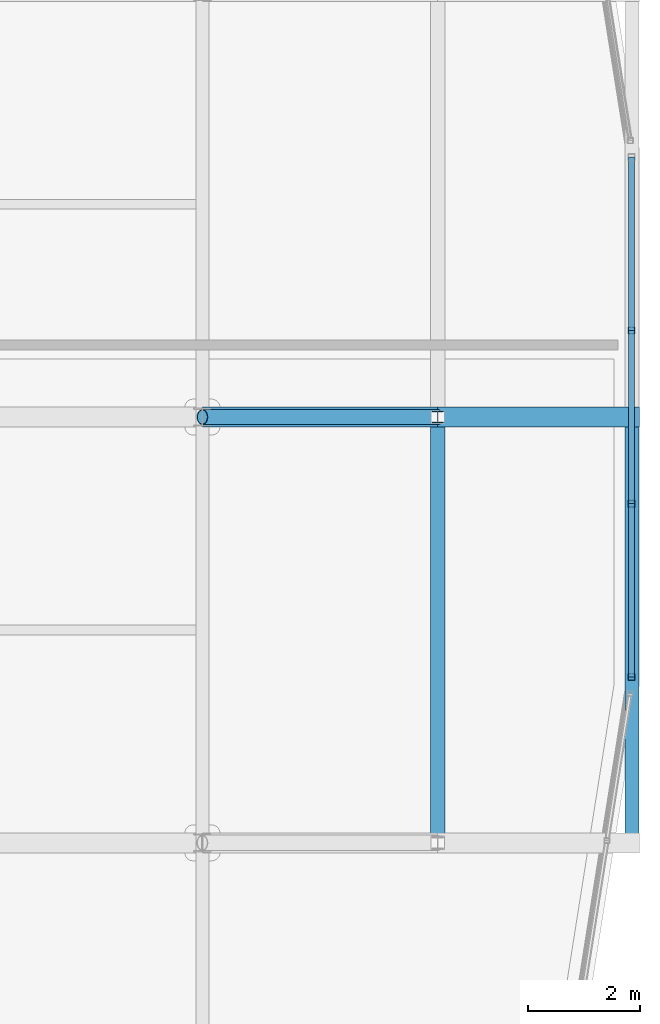
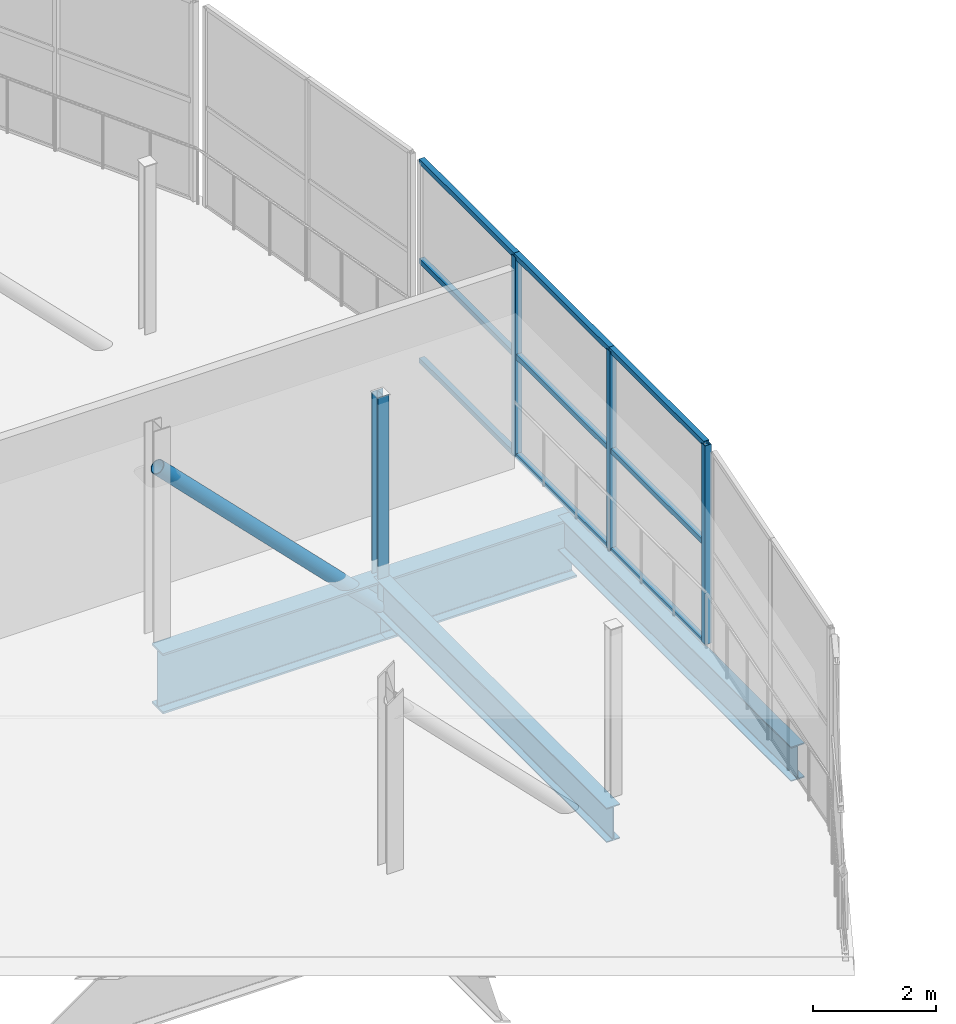
# One storey, part 98 of 151: 14 members, 4 beams, 1 element without a shape of its own.
"""IFC4 building model written with IfcOpenShell, lengths in metres."""

import ifcopenshell
import ifcopenshell.guid

model = None  # the IFC model being written
_history = None  # IfcOwnerHistory: only IFC2X3 demands one
_inside = {}  # id of a spatial element -> (the spatial element, [elements in it])
_under = {}  # id of a project, library or spatial element -> (it, [spatial elements below it])
_declared = {}  # id of a project -> (the project, [libraries it declares])
_typed = {}  # id of a type object -> (the type object, [elements of that type])
_made_of = {}  # id of a material, layer set ... -> (it, [elements and type objects made of it])


def new_model(schema):
    """Start an empty IFC model of exactly this schema.

    Asked for "IFC4X3", IfcOpenShell would pick the latest addendum, in which some entities
    have other attributes; the version numbers below select the first issue.
    IFC2X3 requires an IfcOwnerHistory on every rooted entity: one is made here for all.
    """
    global model, _history
    if schema == "IFC4X3":
        model = ifcopenshell.file(schema_version=(4, 3, 0, 0))
    else:
        model = ifcopenshell.file(schema=schema)
    _inside.clear()
    _under.clear()
    _declared.clear()
    _typed.clear()
    _made_of.clear()
    _history = None
    if model.schema == "IFC2X3":
        org = make("IfcOrganization", Name="unknown")
        user = make(
            "IfcPersonAndOrganization",
            ThePerson=make("IfcPerson", FamilyName="unknown"),
            TheOrganization=org,
        )
        app = make(
            "IfcApplication",
            ApplicationDeveloper=org,
            Version="unknown",
            ApplicationFullName="unknown",
            ApplicationIdentifier="unknown",
        )
        _history = make(
            "IfcOwnerHistory",
            OwningUser=user,
            OwningApplication=app,
            ChangeAction="ADDED",
            CreationDate=0,
        )
    return model


def make(cls, **values):
    """One entity of the class cls with the attributes given. An attribute that is None is left unset."""
    return model.create_entity(
        cls, **{name: value for name, value in values.items() if value is not None}
    )


def rooted(cls, **values):
    """An entity with a GlobalId (a new one), such as an element, a storey or a relation."""
    return make(cls, GlobalId=ifcopenshell.guid.new(), OwnerHistory=_history, **values)


def si_unit(unit_type, name, prefix=None):
    """IfcSIUnit, for example si_unit("LENGTHUNIT", "METRE", prefix="MILLI")."""
    return make("IfcSIUnit", UnitType=unit_type, Prefix=prefix, Name=name)


def assignment(units):
    """IfcUnitAssignment: the units of a project."""
    return None if units is None else make("IfcUnitAssignment", Units=units)


def point(xyz):
    """IfcCartesianPoint."""
    return None if xyz is None else make("IfcCartesianPoint", Coordinates=xyz)


def direction(xyz):
    """IfcDirection."""
    return None if xyz is None else make("IfcDirection", DirectionRatios=xyz)


def frame(location, z_axis=None, x_axis=None):
    """IfcAxis2Placement3D, a coordinate frame: its origin and axes. An axis left out is left unset."""
    return make(
        "IfcAxis2Placement3D",
        Location=point(location),
        Axis=direction(z_axis),
        RefDirection=direction(x_axis),
    )


def frame_2d(location, x_axis=None):
    """IfcAxis2Placement2D, a coordinate frame in the plane: its origin and x axis."""
    return make(
        "IfcAxis2Placement2D", Location=point(location), RefDirection=direction(x_axis)
    )


def origin():
    """The frame at (0, 0, 0) with its axes left unset."""
    return frame((0.0, 0.0, 0.0))


def origin_2d():
    """The frame at (0, 0) in the plane with its x axis left unset."""
    return frame_2d((0.0, 0.0))


def place(relative_to, where):
    """IfcLocalPlacement: puts the frame where relative to a parent placement (None: the world)."""
    return make(
        "IfcLocalPlacement", PlacementRelTo=relative_to, RelativePlacement=where
    )


def context(
    kind, dimensions, precision=None, world=None, true_north=None, identifier=None
):
    """IfcGeometricRepresentationContext, for example the 3D "Model" context."""
    return make(
        "IfcGeometricRepresentationContext",
        ContextIdentifier=identifier,
        ContextType=kind,
        CoordinateSpaceDimension=dimensions,
        Precision=precision,
        WorldCoordinateSystem=world,
        TrueNorth=true_north,
    )


def subcontext(parent, identifier, kind, view, scale=None):
    """IfcGeometricRepresentationSubContext, for example "Body" below "Model"."""
    return make(
        "IfcGeometricRepresentationSubContext",
        ContextIdentifier=identifier,
        ContextType=kind,
        ParentContext=parent,
        TargetScale=scale,
        TargetView=view,
    )


def project(units=None, contexts=None):
    """IfcProject with its units and contexts."""
    return rooted(
        "IfcProject",
        Name="project",
        RepresentationContexts=contexts,
        UnitsInContext=assignment(units),
    )


def spatial(cls, under=None, at=None, **own):
    """A site, building, storey or space (cls), placed at a placement, below another one or the project."""
    s = rooted(cls, ObjectPlacement=at, **own)
    if under is not None:
        _under.setdefault(under.id(), (under, []))[1].append(s)
    return s


def profile(cls, at=None, kind="AREA", **sizes):
    """A parametric profile (cls). Its sizes go by their IFC names, for example OverallWidth=200.0."""
    return make(cls, ProfileType=kind, Position=at, **sizes)


def hollow_rectangle(**sizes):
    """IfcRectangleHollowProfileDef."""
    return profile("IfcRectangleHollowProfileDef", **sizes)


def hollow_circle(**sizes):
    """IfcCircleHollowProfileDef."""
    return profile("IfcCircleHollowProfileDef", **sizes)


def i_section(**sizes):
    """IfcIShapeProfileDef."""
    return profile("IfcIShapeProfileDef", **sizes)


def extrude(swept, where, along, depth):
    """IfcExtrudedAreaSolid: the profile swept, set in the frame where, extruded along a direction by depth."""
    return make(
        "IfcExtrudedAreaSolid",
        SweptArea=swept,
        Position=where,
        ExtrudedDirection=direction(along),
        Depth=depth,
    )


def shape(context_of_items, identifier, shape_type, items):
    """IfcShapeRepresentation: the items that make up one representation, for example the "Body"."""
    return make(
        "IfcShapeRepresentation",
        ContextOfItems=context_of_items,
        RepresentationIdentifier=identifier,
        RepresentationType=shape_type,
        Items=items,
    )


def material(Name=None, Category=None):
    """IfcMaterial."""
    return make("IfcMaterial", Name=Name, Category=Category)


def material_profile(
    of_material, cross_section, Name=None, Category=None, Priority=None
):
    """IfcMaterialProfile: a cross section and its material."""
    return make(
        "IfcMaterialProfile",
        Name=Name,
        Material=of_material,
        Profile=cross_section,
        Priority=Priority,
        Category=Category,
    )


def profile_set(profiles, Name=None, composite=None):
    """IfcMaterialProfileSet."""
    return make(
        "IfcMaterialProfileSet",
        Name=Name,
        MaterialProfiles=profiles,
        CompositeProfile=composite,
    )


def made_of(thing, what):
    """Note that an element or type object is made of a material, layer set ...; save() writes the relation."""
    if what is not None:
        _made_of.setdefault(what.id(), (what, []))[1].append(thing)
    return thing


def type_object(cls, material=None, **own):
    """A type object (cls), such as IfcWallType, which elements share."""
    return made_of(rooted(cls, **own), material)


def element(
    cls,
    number,
    at=None,
    inside=None,
    cuts=None,
    type_object=None,
    material=None,
    context=None,
    identifier="Body",
    shape_type=None,
    held_by="IfcProductDefinitionShape",
    body=None,
    shapes=None,
    **own,
):
    """One element of the class cls, such as IfcWall. Its Tag is "e" and its number.

    at: its placement. inside: the storey or other place that contains it. cuts: it is an
    opening in that element (IfcRelVoidsElement). A single representation is given by context,
    identifier, shape_type and body (its items); several are given by shapes. held_by: the class
    of the entity that holds the representations. save() writes the other relations.
    """
    e = rooted(cls, Tag="e%d" % number, ObjectPlacement=at, **own)
    if body is not None:
        shapes = [shape(context, identifier, shape_type, body)]
    if shapes is not None:
        e.Representation = make(held_by, Representations=shapes)
    if inside is not None:
        _inside.setdefault(inside.id(), (inside, []))[1].append(e)
    if cuts is not None:
        rooted(
            "IfcRelVoidsElement", RelatingBuildingElement=cuts, RelatedOpeningElement=e
        )
    if type_object is not None:
        _typed.setdefault(type_object.id(), (type_object, []))[1].append(e)
    return made_of(e, material)


def aggregate(whole, parts):
    """IfcRelAggregates: a whole, such as a stair, and the parts it consists of."""
    return rooted("IfcRelAggregates", RelatingObject=whole, RelatedObjects=parts)


def save(model, path):
    """Write the relations noted so far, then the file.

    IfcRelAggregates (storeys below a building ...), IfcRelContainedInSpatialStructure (elements
    in a storey), IfcRelDefinesByType, IfcRelAssociatesMaterial and IfcRelDeclares: one each for
    every whole, place, type object, material and project.
    """
    for whole, parts in _under.values():
        aggregate(whole, parts)
    for where, things in _inside.values():
        rooted(
            "IfcRelContainedInSpatialStructure",
            RelatedElements=things,
            RelatingStructure=where,
        )
    for kind, things in _typed.values():
        rooted("IfcRelDefinesByType", RelatedObjects=things, RelatingType=kind)
    for what, things in _made_of.values():
        rooted("IfcRelAssociatesMaterial", RelatedObjects=things, RelatingMaterial=what)
    for by, libraries in _declared.values():
        rooted("IfcRelDeclares", RelatingContext=by, RelatedDefinitions=libraries)
    model.write(path)


model = new_model("IFC4")

# Units and contexts
model_context = context("Model", 3, precision=1e-05, world=origin(), true_north=direction((0.0, 1.0)))
body_context = subcontext(model_context, "Body", "Model", "MODEL_VIEW")
ifc_project = project(units=[si_unit("LENGTHUNIT", "METRE"), si_unit("AREAUNIT", "SQUARE_METRE"), si_unit("VOLUMEUNIT", "CUBIC_METRE"), si_unit("PLANEANGLEUNIT", "RADIAN"), si_unit("MASSUNIT", "GRAM", prefix="KILO")], contexts=[model_context])

# Site, building, storey
site_placement = place(None, origin())
site = spatial("IfcSite", under=ifc_project, at=site_placement, CompositionType="ELEMENT")
building_placement = place(site_placement, origin())
building = spatial("IfcBuilding", under=site, at=building_placement, Name="Zuvorla Pavilion Media Centre", CompositionType="ELEMENT")
storey_placement = place(building_placement, frame((0.0, 0.0, 13.800048828125)))
storey = spatial("IfcBuildingStorey", under=building, at=storey_placement, Name="L03", CompositionType="ELEMENT", Elevation=13.800048828125)

# Beams
ifc_material_1 = material(Name="Steel S355", Category="steel")
ifc_material_profile_1 = material_profile(ifc_material_1, i_section(OverallWidth=0.360107421875, OverallDepth=1.199951171875, WebThickness=0.02001953125, FlangeThickness=0.0380859375, FilletRadius=0.02392578125, at=origin_2d()), Name="PG 1200x360x38")
ifc_profile_set_1 = profile_set([ifc_material_profile_1], Name="Steel S355")
beam_type_1 = type_object("IfcBeamType", Name="BM-PG1200", PredefinedType="BEAM", material=ifc_profile_set_1)
beam_1_placement = place(storey_placement, frame((167.60009765625, 66.800048828125, -0.858154296875), z_axis=(1.0, 0.0, 0.0), x_axis=(0.0, 1.0, 0.0)))
element("IfcBeam", 1, at=beam_1_placement, inside=storey, type_object=beam_type_1, Name="L03 beam B01 1705", PredefinedType="BEAM", context=body_context, shape_type="SweptSolid", body=[
    extrude(i_section(OverallWidth=0.360107421875, OverallDepth=1.199951171875, WebThickness=0.02001953125, FlangeThickness=0.0380859375, FilletRadius=0.02392578125, at=origin_2d()), origin(), (0.0, 0.0, 1.0), 4.199951171875),
])
beam_2_placement = place(storey_placement, frame((171.800048828125, 66.800048828125, -0.858154296875), z_axis=(1.0, 0.0, 0.0), x_axis=(0.0, 1.0, 0.0)))
element("IfcBeam", 2, at=beam_2_placement, inside=storey, type_object=beam_type_1, Name="L03 beam B01 1706", PredefinedType="BEAM", context=body_context, shape_type="SweptSolid", body=[
    extrude(i_section(OverallWidth=0.360107421875, OverallDepth=1.199951171875, WebThickness=0.02001953125, FlangeThickness=0.0380859375, FilletRadius=0.02392578125, at=origin_2d()), origin(), (0.0, 0.0, 1.0), 3.599853515625),
])
ifc_material_profile_2 = material_profile(ifc_material_1, i_section(OverallWidth=0.25439453125, OverallDepth=0.6875, WebThickness=0.01318359375, FlangeThickness=0.02099609375, FilletRadius=0.01513671875, at=origin_2d()), Name="UB 686x254x152")
ifc_profile_set_2 = profile_set([ifc_material_profile_2], Name="Steel S355")
beam_type_2 = type_object("IfcBeamType", Name="BM-UB686", PredefinedType="BEAM", material=ifc_profile_set_2)
for number, where, z_axis, x_axis, name in (
    (3, (171.800048828125, 59.199951171875, -0.601806640625), (0.0, 1.0, 0.0), (-1.0, 0.0, 0.0), "L03 beam B06 1717"),
    (4, (175.27001953125, 59.199951171875, -0.601806640625), (0.0, 1.0, 0.0), (-1.0, 0.0, 0.0), "L03 beam B06 1719"),
):
    element("IfcBeam", number, at=place(storey_placement, frame(where, z_axis=z_axis, x_axis=x_axis)), inside=storey, type_object=beam_type_2, Name=name, PredefinedType="BEAM", context=body_context, shape_type="SweptSolid", body=[
        extrude(i_section(OverallWidth=0.25439453125, OverallDepth=0.6875, WebThickness=0.01318359375, FlangeThickness=0.02099609375, FilletRadius=0.01513671875, at=origin_2d()), origin(), (0.0, 0.0, 1.0), 7.60009765625),
    ])

# Curtain wall, members
ifc_material_2 = material(Name="Unitised anodised aluminium and solar glass curtain wall", Category="aluminium")
curtain_wall_type = type_object("IfcCurtainWallType", Name="CW-SYS-59", PredefinedType="USERDEFINED", material=ifc_material_2)
curtain_wall_placement = place(storey_placement, origin())
curtain_wall = element("IfcCurtainWall", 5, at=curtain_wall_placement, inside=storey, type_object=curtain_wall_type, Name="L03 curtain wall CW59 100", ObjectType="CURTAIN WALL", PredefinedType="USERDEFINED")
ifc_material_3 = material(Name="Anodised aluminium 6063-T6", Category="aluminium")
ifc_material_profile_3 = material_profile(ifc_material_3, hollow_rectangle(XDim=0.1201171875, YDim=0.1201171875, WallThickness=0.0048828125, at=origin_2d()), Name="ALU MULL 120x120")
ifc_profile_set_3 = profile_set([ifc_material_profile_3], Name="Anodised aluminium 6063-T6")
member_type_1 = type_object("IfcMemberType", Name="CW-MULL-120", PredefinedType="MULLION", material=ifc_profile_set_3)
member_1_placement = place(storey_placement, frame((175.260009765625, 62.159912109375, 0.0), z_axis=(0.0, 0.0, 1.0), x_axis=(1.0, 0.0, 0.0)))
member_1 = element("IfcMember", 6, at=member_1_placement, type_object=member_type_1, Name="CW59 mullion 1", PredefinedType="MULLION", context=body_context, shape_type="SweptSolid", body=[
    extrude(hollow_rectangle(XDim=0.1201171875, YDim=0.1201171875, WallThickness=0.0048828125, at=origin_2d()), origin(), (0.0, 0.0, 1.0), 3.9599609375),
])
member_2_placement = place(storey_placement, frame((175.260009765625, 65.25341796875, 0.0), z_axis=(0.0, 0.0, 1.0), x_axis=(1.0, 0.0, 0.0)))
member_2 = element("IfcMember", 7, at=member_2_placement, type_object=member_type_1, Name="CW59 mullion 2", PredefinedType="MULLION", context=body_context, shape_type="SweptSolid", body=[
    extrude(hollow_rectangle(XDim=0.1201171875, YDim=0.1201171875, WallThickness=0.0048828125, at=origin_2d()), origin(), (0.0, 0.0, 1.0), 3.9599609375),
])
member_3_placement = place(storey_placement, frame((175.260009765625, 68.3466796875, 0.0), z_axis=(0.0, 0.0, 1.0), x_axis=(1.0, 0.0, 0.0)))
member_3 = element("IfcMember", 8, at=member_3_placement, type_object=member_type_1, Name="CW59 mullion 3", PredefinedType="MULLION", context=body_context, shape_type="SweptSolid", body=[
    extrude(hollow_rectangle(XDim=0.1201171875, YDim=0.1201171875, WallThickness=0.0048828125, at=origin_2d()), origin(), (0.0, 0.0, 1.0), 3.9599609375),
])
ifc_material_profile_4 = material_profile(ifc_material_3, hollow_rectangle(XDim=0.10009765625, YDim=0.10009765625, WallThickness=0.00439453125, at=origin_2d()), Name="ALU TRAN 100x100")
ifc_profile_set_4 = profile_set([ifc_material_profile_4], Name="Anodised aluminium 6063-T6")
member_type_2 = type_object("IfcMemberType", Name="CW-TRAN-100", PredefinedType="USERDEFINED", material=ifc_profile_set_4)
member_4_placement = place(storey_placement, frame((175.260009765625, 62.159912109375, 0.0), z_axis=(0.0, 1.0, 0.0), x_axis=(-1.0, 0.0, 0.0)))
member_4 = element("IfcMember", 9, at=member_4_placement, type_object=member_type_2, Name="CW59 transom 1.1", ObjectType="TRANSOM", PredefinedType="USERDEFINED", context=body_context, shape_type="SweptSolid", body=[
    extrude(hollow_rectangle(XDim=0.10009765625, YDim=0.10009765625, WallThickness=0.00439453125, at=origin_2d()), origin(), (0.0, 0.0, 1.0), 3.093505859375),
])
member_5_placement = place(storey_placement, frame((175.260009765625, 62.159912109375, 1.97998046875), z_axis=(0.0, 1.0, 0.0), x_axis=(-1.0, 0.0, 0.0)))
member_5 = element("IfcMember", 10, at=member_5_placement, type_object=member_type_2, Name="CW59 transom 1.2", ObjectType="TRANSOM", PredefinedType="USERDEFINED", context=body_context, shape_type="SweptSolid", body=[
    extrude(hollow_rectangle(XDim=0.10009765625, YDim=0.10009765625, WallThickness=0.00439453125, at=origin_2d()), origin(), (0.0, 0.0, 1.0), 3.093505859375),
])
member_6_placement = place(storey_placement, frame((175.260009765625, 62.159912109375, 3.9599609375), z_axis=(0.0, 1.0, 0.0), x_axis=(-1.0, 0.0, 0.0)))
member_6 = element("IfcMember", 11, at=member_6_placement, type_object=member_type_2, Name="CW59 transom 1.3", ObjectType="TRANSOM", PredefinedType="USERDEFINED", context=body_context, shape_type="SweptSolid", body=[
    extrude(hollow_rectangle(XDim=0.10009765625, YDim=0.10009765625, WallThickness=0.00439453125, at=origin_2d()), origin(), (0.0, 0.0, 1.0), 3.093505859375),
])
member_7_placement = place(storey_placement, frame((175.260009765625, 65.25341796875, 0.0), z_axis=(0.0, 1.0, 0.0), x_axis=(-1.0, 0.0, 0.0)))
member_7 = element("IfcMember", 12, at=member_7_placement, type_object=member_type_2, Name="CW59 transom 2.1", ObjectType="TRANSOM", PredefinedType="USERDEFINED", context=body_context, shape_type="SweptSolid", body=[
    extrude(hollow_rectangle(XDim=0.10009765625, YDim=0.10009765625, WallThickness=0.00439453125, at=origin_2d()), origin(), (0.0, 0.0, 1.0), 3.09326171875),
])
member_8_placement = place(storey_placement, frame((175.260009765625, 65.25341796875, 1.97998046875), z_axis=(0.0, 1.0, 0.0), x_axis=(-1.0, 0.0, 0.0)))
member_8 = element("IfcMember", 13, at=member_8_placement, type_object=member_type_2, Name="CW59 transom 2.2", ObjectType="TRANSOM", PredefinedType="USERDEFINED", context=body_context, shape_type="SweptSolid", body=[
    extrude(hollow_rectangle(XDim=0.10009765625, YDim=0.10009765625, WallThickness=0.00439453125, at=origin_2d()), origin(), (0.0, 0.0, 1.0), 3.09326171875),
])
member_9_placement = place(storey_placement, frame((175.260009765625, 65.25341796875, 3.9599609375), z_axis=(0.0, 1.0, 0.0), x_axis=(-1.0, 0.0, 0.0)))
member_9 = element("IfcMember", 14, at=member_9_placement, type_object=member_type_2, Name="CW59 transom 2.3", ObjectType="TRANSOM", PredefinedType="USERDEFINED", context=body_context, shape_type="SweptSolid", body=[
    extrude(hollow_rectangle(XDim=0.10009765625, YDim=0.10009765625, WallThickness=0.00439453125, at=origin_2d()), origin(), (0.0, 0.0, 1.0), 3.09326171875),
])
member_10_placement = place(storey_placement, frame((175.260009765625, 68.3466796875, 0.0), z_axis=(0.0, 1.0, 0.0), x_axis=(-1.0, 0.0, 0.0)))
member_10 = element("IfcMember", 15, at=member_10_placement, type_object=member_type_2, Name="CW59 transom 3.1", ObjectType="TRANSOM", PredefinedType="USERDEFINED", context=body_context, shape_type="SweptSolid", body=[
    extrude(hollow_rectangle(XDim=0.10009765625, YDim=0.10009765625, WallThickness=0.00439453125, at=origin_2d()), origin(), (0.0, 0.0, 1.0), 3.09326171875),
])
member_11_placement = place(storey_placement, frame((175.260009765625, 68.3466796875, 1.97998046875), z_axis=(0.0, 1.0, 0.0), x_axis=(-1.0, 0.0, 0.0)))
member_11 = element("IfcMember", 16, at=member_11_placement, type_object=member_type_2, Name="CW59 transom 3.2", ObjectType="TRANSOM", PredefinedType="USERDEFINED", context=body_context, shape_type="SweptSolid", body=[
    extrude(hollow_rectangle(XDim=0.10009765625, YDim=0.10009765625, WallThickness=0.00439453125, at=origin_2d()), origin(), (0.0, 0.0, 1.0), 3.09326171875),
])
member_12_placement = place(storey_placement, frame((175.260009765625, 68.3466796875, 3.9599609375), z_axis=(0.0, 1.0, 0.0), x_axis=(-1.0, 0.0, 0.0)))
member_12 = element("IfcMember", 17, at=member_12_placement, type_object=member_type_2, Name="CW59 transom 3.3", ObjectType="TRANSOM", PredefinedType="USERDEFINED", context=body_context, shape_type="SweptSolid", body=[
    extrude(hollow_rectangle(XDim=0.10009765625, YDim=0.10009765625, WallThickness=0.00439453125, at=origin_2d()), origin(), (0.0, 0.0, 1.0), 3.09326171875),
])
aggregate(curtain_wall, [member_1, member_2, member_3, member_4, member_5, member_6, member_7, member_8, member_9, member_10, member_11, member_12])

# Members
ifc_material_profile_5 = material_profile(ifc_material_1, hollow_circle(Radius=0.136474609375, WallThickness=0.012451171875, at=origin_2d()), Name="CHS 273x12.5")
ifc_profile_set_5 = profile_set([ifc_material_profile_5], Name="Steel S355")
member_type_3 = type_object("IfcMemberType", Name="MEM-BRC-CHS273", PredefinedType="BRACE", material=ifc_profile_set_5)
member_13_placement = place(storey_placement, frame((167.60009765625, 66.800048828125, 3.35986328125), z_axis=(0.704583438737, 0.0, -0.709621150937), x_axis=(0.0, 1.0, 0.0)))
element("IfcMember", 18, at=member_13_placement, inside=storey, type_object=member_type_3, Name="L03 diagonal brace TB01 19", PredefinedType="BRACE", context=body_context, shape_type="SweptSolid", body=[
    extrude(hollow_circle(Radius=0.136474609375, WallThickness=0.012451171875, at=origin_2d()), origin(), (0.0, 0.0, 1.0), 5.9609375),
])
ifc_material_profile_6 = material_profile(ifc_material_1, i_section(OverallWidth=0.205810546875, OverallDepth=0.209716796875, WebThickness=0.009521484375, FlangeThickness=0.01416015625, FilletRadius=0.01025390625, at=origin_2d()), Name="UC 203x203x60")
ifc_profile_set_6 = profile_set([ifc_material_profile_6], Name="Steel S355")
member_type_4 = type_object("IfcMemberType", Name="MEM-STR-UC203", PredefinedType="STRUT", material=ifc_profile_set_6)
member_14_placement = place(storey_placement, frame((171.800048828125, 66.800048828125, -0.8701171875), z_axis=(0.0, 0.0, 1.0), x_axis=(1.0, 0.0, 0.0)))
element("IfcMember", 19, at=member_14_placement, inside=storey, type_object=member_type_4, Name="L03 vertical strut TS02 20", PredefinedType="STRUT", context=body_context, shape_type="SweptSolid", body=[
    extrude(i_section(OverallWidth=0.205810546875, OverallDepth=0.209716796875, WebThickness=0.009521484375, FlangeThickness=0.01416015625, FilletRadius=0.01025390625, at=origin_2d()), origin(), (0.0, 0.0, 1.0), 4.22998046875),
])

save(model, "model.ifc")
